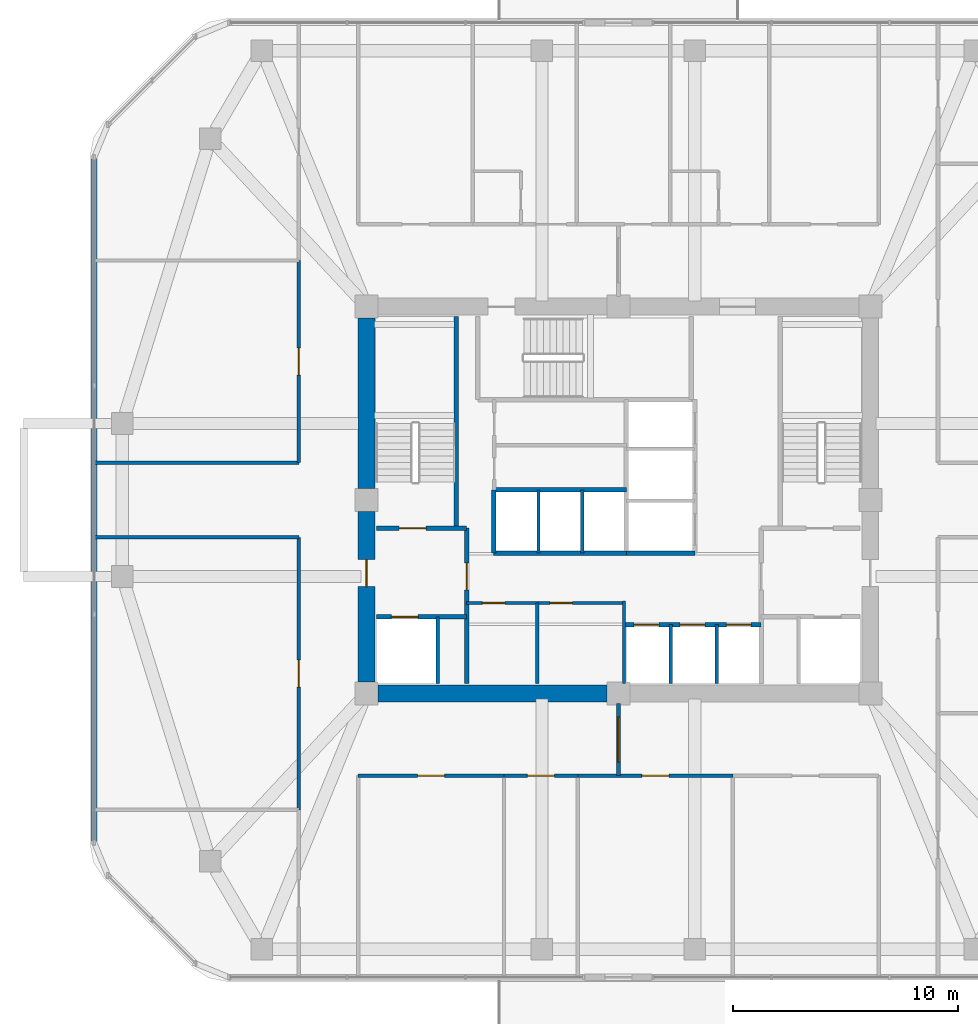
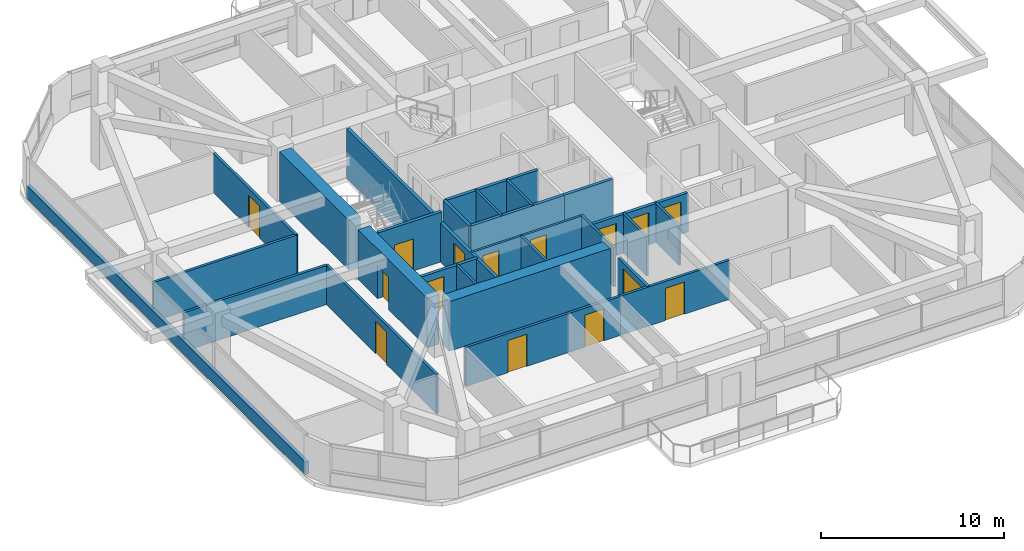
# One storey, part 7 of 12: 29 walls, 15 doors, 15 openings.
"""IFC4 building model written with IfcOpenShell, lengths in metres."""

from ifc_helpers import new_model, si_unit, derived_unit, direction, frame, frame_2d, origin, place, context, subcontext, project, spatial, rectangle, extrude, material, layer, layer_set, type_object, element, fill, save


model = new_model("IFC4")

# Units and contexts
model_context = context("Model", 3, precision=1e-05, world=origin(), true_north=direction((0.0, 1.0)))
body_context = subcontext(model_context, "Body", "Model", "MODEL_VIEW")
ifc_project = project(units=[si_unit("LENGTHUNIT", "METRE"), si_unit("AREAUNIT", "SQUARE_METRE"), si_unit("VOLUMEUNIT", "CUBIC_METRE"), si_unit("PLANEANGLEUNIT", "RADIAN"), si_unit("MASSUNIT", "GRAM", prefix="KILO"), derived_unit("THERMALTRANSMITTANCEUNIT", [(si_unit("POWERUNIT", "WATT"), 1), (si_unit("LENGTHUNIT", "METRE"), -2), (si_unit("THERMODYNAMICTEMPERATUREUNIT", "KELVIN"), -1)])], contexts=[model_context])

# Site, building, storey
site_placement = place(None, origin())
site = spatial("IfcSite", under=ifc_project, at=site_placement, CompositionType="ELEMENT")
building_placement = place(site_placement, origin())
building = spatial("IfcBuilding", under=site, at=building_placement, Name="Koralith Skygarden Medical Center", CompositionType="ELEMENT")
storey_placement = place(building_placement, frame((0.0, 0.0, 138.419921875)))
storey = spatial("IfcBuildingStorey", under=building, at=storey_placement, Name="L35", CompositionType="ELEMENT", Elevation=138.419921875)

# Wall, openings, doors
ifc_material_1 = material(Name="Gypsum Board Partition")
ifc_layer_1 = layer(ifc_material_1, 0.14990234375)
ifc_layer_set_1 = layer_set([ifc_layer_1], Name="Gypsum Board Partition")
wall_type_1 = type_object("IfcWallType", Name="Clinical Acoustic Partition 150", PredefinedType="PARTITIONING", material=ifc_layer_set_1)
wall_1_placement = place(storey_placement, frame((30.25, 21.320068359375, 0.0), z_axis=(0.0, 0.0, 1.0), x_axis=(1.0, 0.0, 0.0)))
wall_1 = element("IfcWall", 1, at=wall_1_placement, inside=storey, type_object=wall_type_1, Name="L35 Clinical Acoustic Partition 150 W-CORE-L35-FREED-LR-N", PredefinedType="PARTITIONING", context=body_context, shape_type="SweptSolid", body=[
    extrude(rectangle(XDim=7.0, YDim=0.14990234375, at=frame_2d((3.5, 0.0))), origin(), (0.0, 0.0, 1.0), 2.610107421875),
])
opening_1_placement = place(wall_1_placement, frame((0.699951171875, 0.0, 0.0)))
opening_1 = element("IfcOpeningElement", 2, at=opening_1_placement, cuts=wall_1, Name="Opening D-SUP", PredefinedType="OPENING", context=body_context, shape_type="SweptSolid", body=[
    extrude(rectangle(XDim=1.0, YDim=2.14990234375, at=frame_2d((0.5, 1.074951171875))), frame((0.0, 0.0849609375, 0.0), z_axis=(0.0, -1.0, 0.0), x_axis=(1.0, 0.0, 0.0)), (0.0, 0.0, 1.0), 0.169921875),
])
opening_2_placement = place(wall_1_placement, frame((3.699951171875, 0.0, 0.0)))
opening_2 = element("IfcOpeningElement", 3, at=opening_2_placement, cuts=wall_1, Name="Opening D-SUP", PredefinedType="OPENING", context=body_context, shape_type="SweptSolid", body=[
    extrude(rectangle(XDim=1.0, YDim=2.14990234375, at=frame_2d((0.5, 1.074951171875))), frame((0.0, 0.0849609375, 0.0), z_axis=(0.0, -1.0, 0.0), x_axis=(1.0, 0.0, 0.0)), (0.0, 0.0, 1.0), 0.169921875),
])
ifc_material_2 = material(Name="Aluminium 6063-T6", Category="aluminium")
door_type_1 = type_object("IfcDoorType", Name="Clinical Support Door D-SUP 1000", OperationType="NOTDEFINED", PredefinedType="DOOR", material=ifc_material_2)
door_1_placement = place(opening_1_placement, frame((1.0, 0.0, 0.0), z_axis=(0.0, 0.0, 1.0), x_axis=(-1.0, 0.0, 0.0)))
door_1 = element("IfcDoor", 4, at=door_1_placement, inside=storey, type_object=door_type_1, Name="L35 Medication Preparation Door", OperationType="SINGLE_SWING_LEFT", OverallHeight=2.14990234375, OverallWidth=1.0, PredefinedType="DOOR", context=body_context, shape_type="SweptSolid", body=[
    extrude(rectangle(XDim=1.0, YDim=2.14990234375, at=frame_2d((0.5, 1.074951171875))), frame((0.0, 0.02490234375, 0.0), z_axis=(0.0, -1.0, 0.0), x_axis=(1.0, 0.0, 0.0)), (0.0, 0.0, 1.0), 0.050048828125),
])
fill(opening_1, door_1)
door_2_placement = place(opening_2_placement, frame((1.0, 0.0, 0.0), z_axis=(0.0, 0.0, 1.0), x_axis=(-1.0, 0.0, 0.0)))
door_2 = element("IfcDoor", 5, at=door_2_placement, inside=storey, type_object=door_type_1, Name="L35 Telemetry Room Door", OperationType="SINGLE_SWING_RIGHT", OverallHeight=2.14990234375, OverallWidth=1.0, PredefinedType="DOOR", context=body_context, shape_type="SweptSolid", body=[
    extrude(rectangle(XDim=1.0, YDim=2.14990234375, at=frame_2d((0.5, 1.074951171875))), frame((0.0, 0.02490234375, 0.0), z_axis=(0.0, -1.0, 0.0), x_axis=(1.0, 0.0, 0.0)), (0.0, 0.0, 1.0), 0.050048828125),
])
fill(opening_2, door_2)

# Walls
wall_2_placement = place(storey_placement, frame((33.39990234375, 17.75, 0.0), z_axis=(0.0, 0.0, 1.0), x_axis=(0.0, 1.0, 0.0)))
element("IfcWall", 6, at=wall_2_placement, inside=storey, type_object=wall_type_1, Name="L35 Clinical Acoustic Partition 150 W-CORE-L35-FREED-LR-M", PredefinedType="PARTITIONING", context=body_context, shape_type="SweptSolid", body=[
    extrude(rectangle(XDim=3.570068359375, YDim=0.14990234375, at=frame_2d((1.78515625, 0.0))), origin(), (0.0, 0.0, 1.0), 2.610107421875),
])
ifc_layer_2 = layer(ifc_material_1, 0.1650390625)
ifc_layer_set_2 = layer_set([ifc_layer_2], Name="Gypsum Board Partition")
wall_type_2 = type_object("IfcWallType", Name="Clinical Corridor Partition 165", PredefinedType="PARTITIONING", material=ifc_layer_set_2)
for number, where, z_axis, x_axis, name in (
    (7, (13.716064453125, 24.239990234375, 0.0), (0.0, 0.0, 1.0), (1.0, 0.0, 0.0), "L35 Clinical Corridor Partition 165 W-HCOR-L35-EWS-W"),
    (8, (13.716064453125, 27.56005859375, 0.0), (0.0, 0.0, 1.0), (1.0, 0.0, 0.0), "L35 Clinical Corridor Partition 165 W-HCOR-L35-EWN-W"),
):
    element("IfcWall", number, at=place(storey_placement, frame(where, z_axis=z_axis, x_axis=x_axis)), inside=storey, type_object=wall_type_2, Name=name, PredefinedType="PARTITIONING", context=body_context, shape_type="SweptSolid", body=[
        extrude(rectangle(XDim=9.073974609375, YDim=0.1650390625, at=frame_2d((4.537109375, 0.0))), origin(), (0.0, 0.0, 1.0), 2.610107421875),
    ])

# Wall, opening, door
wall_3_placement = place(storey_placement, frame((25.429931640625, 13.639892578125, 0.0), z_axis=(0.0, 0.0, 1.0), x_axis=(1.0, 0.0, 0.0)))
wall_3 = element("IfcWall", 9, at=wall_3_placement, inside=storey, type_object=wall_type_2, Name="L35 Clinical Corridor Partition 165 W-CORR-L35-S-01", PredefinedType="PARTITIONING", context=body_context, shape_type="SweptSolid", body=[
    extrude(rectangle(XDim=6.484130859375, YDim=0.1650390625, at=frame_2d((3.2421875, 0.0))), origin(), (0.0, 0.0, 1.0), 2.610107421875),
])
opening_3_placement = place(wall_3_placement, frame((2.64208984375, 0.0, 0.0)))
opening_3 = element("IfcOpeningElement", 10, at=opening_3_placement, cuts=wall_3, Name="Opening D-CLN", PredefinedType="OPENING", context=body_context, shape_type="SweptSolid", body=[
    extrude(rectangle(XDim=1.199951171875, YDim=2.14990234375, at=frame_2d((0.60009765625, 1.074951171875))), frame((0.0, 0.092529296875, 0.0), z_axis=(0.0, -1.0, 0.0), x_axis=(1.0, 0.0, 0.0)), (0.0, 0.0, 1.0), 0.18505859375),
])
door_type_2 = type_object("IfcDoorType", Name="Clinical Corridor Door D-CLN 1200", OperationType="NOTDEFINED", PredefinedType="DOOR", material=ifc_material_2)
door_3_placement = place(opening_3_placement, frame((1.199951171875, 0.0, 0.0), z_axis=(0.0, 0.0, 1.0), x_axis=(-1.0, 0.0, 0.0)))
door_3 = element("IfcDoor", 11, at=door_3_placement, inside=storey, type_object=door_type_2, Name="L35 Acute Nurse Station 06 Door", OperationType="SINGLE_SWING_LEFT", OverallHeight=2.14990234375, OverallWidth=1.199951171875, PredefinedType="DOOR", context=body_context, shape_type="SweptSolid", body=[
    extrude(rectangle(XDim=1.199951171875, YDim=2.14990234375, at=frame_2d((0.60009765625, 1.074951171875))), frame((0.0, 0.02490234375, 0.0), z_axis=(0.0, -1.0, 0.0), x_axis=(1.0, 0.0, 0.0)), (0.0, 0.0, 1.0), 0.050048828125),
])
fill(opening_3, door_3)

wall_4_placement = place(storey_placement, frame((31.9140625, 13.639892578125, 0.0), z_axis=(0.0, 0.0, 1.0), x_axis=(1.0, 0.0, 0.0)))
wall_4 = element("IfcWall", 12, at=wall_4_placement, inside=storey, type_object=wall_type_2, Name="L35 Clinical Corridor Partition 165 W-CORR-L35-S-02", PredefinedType="PARTITIONING", context=body_context, shape_type="SweptSolid", body=[
    extrude(rectangle(XDim=3.285888671875, YDim=0.1650390625, at=frame_2d((1.64306640625, 0.0))), origin(), (0.0, 0.0, 1.0), 2.610107421875),
])
opening_4_placement = place(wall_4_placement, frame((1.04296875, 0.0, 0.0)))
opening_4 = element("IfcOpeningElement", 13, at=opening_4_placement, cuts=wall_4, Name="Opening D-CLN", PredefinedType="OPENING", context=body_context, shape_type="SweptSolid", body=[
    extrude(rectangle(XDim=1.199951171875, YDim=2.14990234375, at=frame_2d((0.60009765625, 1.074951171875))), frame((0.0, 0.092529296875, 0.0), z_axis=(0.0, -1.0, 0.0), x_axis=(1.0, 0.0, 0.0)), (0.0, 0.0, 1.0), 0.18505859375),
])
door_4_placement = place(opening_4_placement, frame((1.199951171875, 0.0, 0.0), z_axis=(0.0, 0.0, 1.0), x_axis=(-1.0, 0.0, 0.0)))
door_4 = element("IfcDoor", 14, at=door_4_placement, inside=storey, type_object=door_type_2, Name="L35 Public Accessible Restroom WC 07 Door", OperationType="SINGLE_SWING_RIGHT", OverallHeight=2.14990234375, OverallWidth=1.199951171875, PredefinedType="DOOR", context=body_context, shape_type="SweptSolid", body=[
    extrude(rectangle(XDim=1.199951171875, YDim=2.14990234375, at=frame_2d((0.60009765625, 1.074951171875))), frame((0.0, 0.02490234375, 0.0), z_axis=(0.0, -1.0, 0.0), x_axis=(1.0, 0.0, 0.0)), (0.0, 0.0, 1.0), 0.050048828125),
])
fill(opening_4, door_4)

wall_5_placement = place(storey_placement, frame((35.199951171875, 13.639892578125, 0.0), z_axis=(0.0, 0.0, 1.0), x_axis=(1.0, 0.0, 0.0)))
wall_5 = element("IfcWall", 15, at=wall_5_placement, inside=storey, type_object=wall_type_2, Name="L35 Clinical Corridor Partition 165 W-CORR-L35-S-03", PredefinedType="PARTITIONING", context=body_context, shape_type="SweptSolid", body=[
    extrude(rectangle(XDim=6.885986328125, YDim=0.1650390625, at=frame_2d((3.44287109375, 0.0))), origin(), (0.0, 0.0, 1.0), 2.610107421875),
])
opening_5_placement = place(wall_5_placement, frame((2.843017578125, 0.0, 0.0)))
opening_5 = element("IfcOpeningElement", 16, at=opening_5_placement, cuts=wall_5, Name="Opening D-CLN", PredefinedType="OPENING", context=body_context, shape_type="SweptSolid", body=[
    extrude(rectangle(XDim=1.199951171875, YDim=2.14990234375, at=frame_2d((0.60009765625, 1.074951171875))), frame((0.0, 0.092529296875, 0.0), z_axis=(0.0, -1.0, 0.0), x_axis=(1.0, 0.0, 0.0)), (0.0, 0.0, 1.0), 0.18505859375),
])
door_5_placement = place(opening_5_placement, frame((1.199951171875, 0.0, 0.0), z_axis=(0.0, 0.0, 1.0), x_axis=(-1.0, 0.0, 0.0)))
door_5 = element("IfcDoor", 17, at=door_5_placement, inside=storey, type_object=door_type_2, Name="L35 Patient and Family Sky-Garden Day Lounge 08 Door", OperationType="SINGLE_SWING_LEFT", OverallHeight=2.14990234375, OverallWidth=1.199951171875, PredefinedType="DOOR", context=body_context, shape_type="SweptSolid", body=[
    extrude(rectangle(XDim=1.199951171875, YDim=2.14990234375, at=frame_2d((0.60009765625, 1.074951171875))), frame((0.0, 0.02490234375, 0.0), z_axis=(0.0, -1.0, 0.0), x_axis=(1.0, 0.0, 0.0)), (0.0, 0.0, 1.0), 0.050048828125),
])
fill(opening_5, door_5)

wall_6_placement = place(storey_placement, frame((22.7900390625, 12.125, 0.0), z_axis=(0.0, 0.0, 1.0), x_axis=(0.0, 1.0, 0.0)))
wall_6 = element("IfcWall", 18, at=wall_6_placement, inside=storey, type_object=wall_type_2, Name="L35 Clinical Corridor Partition 165 W-CORR-L35-WS-02", PredefinedType="PARTITIONING", context=body_context, shape_type="SweptSolid", body=[
    extrude(rectangle(XDim=12.114990234375, YDim=0.1650390625, at=frame_2d((6.0576171875, 0.0))), origin(), (0.0, 0.0, 1.0), 2.610107421875),
])
opening_6_placement = place(wall_6_placement, frame((5.45703125, 0.0, 0.0)))
opening_6 = element("IfcOpeningElement", 19, at=opening_6_placement, cuts=wall_6, Name="Opening D-CLN", PredefinedType="OPENING", context=body_context, shape_type="SweptSolid", body=[
    extrude(rectangle(XDim=1.199951171875, YDim=2.14990234375, at=frame_2d((0.60009765625, 1.074951171875))), frame((0.0, 0.092529296875, 0.0), z_axis=(0.0, -1.0, 0.0), x_axis=(1.0, 0.0, 0.0)), (0.0, 0.0, 1.0), 0.18505859375),
])
door_6_placement = place(opening_6_placement, frame((1.199951171875, 0.0, 0.0), z_axis=(0.0, 0.0, 1.0), x_axis=(-1.0, 0.0, 0.0)))
door_6 = element("IfcDoor", 20, at=door_6_placement, inside=storey, type_object=door_type_2, Name="L35 Acute Nurse Station 11 Door", OperationType="SINGLE_SWING_RIGHT", OverallHeight=2.14990234375, OverallWidth=1.199951171875, PredefinedType="DOOR", context=body_context, shape_type="SweptSolid", body=[
    extrude(rectangle(XDim=1.199951171875, YDim=2.14990234375, at=frame_2d((0.60009765625, 1.074951171875))), frame((0.0, 0.02490234375, 0.0), z_axis=(0.0, -1.0, 0.0), x_axis=(1.0, 0.0, 0.0)), (0.0, 0.0, 1.0), 0.050048828125),
])
fill(opening_6, door_6)

wall_7_placement = place(storey_placement, frame((22.7900390625, 27.56005859375, 0.0), z_axis=(0.0, 0.0, 1.0), x_axis=(0.0, 1.0, 0.0)))
wall_7 = element("IfcWall", 21, at=wall_7_placement, inside=storey, type_object=wall_type_2, Name="L35 Clinical Corridor Partition 165 W-CORR-L35-WN-01", PredefinedType="PARTITIONING", context=body_context, shape_type="SweptSolid", body=[
    extrude(rectangle(XDim=8.988037109375, YDim=0.1650390625, at=frame_2d((4.494140625, 0.0))), origin(), (0.0, 0.0, 1.0), 2.610107421875),
])
opening_7_placement = place(wall_7_placement, frame((3.89404296875, 0.0, 0.0)))
opening_7 = element("IfcOpeningElement", 22, at=opening_7_placement, cuts=wall_7, Name="Opening D-CLN", PredefinedType="OPENING", context=body_context, shape_type="SweptSolid", body=[
    extrude(rectangle(XDim=1.199951171875, YDim=2.14990234375, at=frame_2d((0.60009765625, 1.074951171875))), frame((0.0, 0.092529296875, 0.0), z_axis=(0.0, -1.0, 0.0), x_axis=(1.0, 0.0, 0.0)), (0.0, 0.0, 1.0), 0.18505859375),
])
door_7_placement = place(opening_7_placement, frame((1.199951171875, 0.0, 0.0), z_axis=(0.0, 0.0, 1.0), x_axis=(-1.0, 0.0, 0.0)))
door_7 = element("IfcDoor", 23, at=door_7_placement, inside=storey, type_object=door_type_2, Name="L35 Clinical Consultation Office 12 Door", OperationType="SINGLE_SWING_LEFT", OverallHeight=2.14990234375, OverallWidth=1.199951171875, PredefinedType="DOOR", context=body_context, shape_type="SweptSolid", body=[
    extrude(rectangle(XDim=1.199951171875, YDim=2.14990234375, at=frame_2d((0.60009765625, 1.074951171875))), frame((0.0, 0.02490234375, 0.0), z_axis=(0.0, -1.0, 0.0), x_axis=(1.0, 0.0, 0.0)), (0.0, 0.0, 1.0), 0.050048828125),
])
fill(opening_7, door_7)

ifc_layer_3 = layer(ifc_material_1, 0.199951171875)
ifc_layer_set_3 = layer_set([ifc_layer_3], Name="Gypsum Board Partition")
wall_type_3 = type_object("IfcWallType", Name="Fire Shaft Wall 200", PredefinedType="SOLIDWALL", material=ifc_layer_set_3)
wall_8_placement = place(storey_placement, frame((26.25, 20.699951171875, 0.0), z_axis=(0.0, 0.0, 1.0), x_axis=(1.0, 0.0, 0.0)))
wall_8 = element("IfcWall", 24, at=wall_8_placement, inside=storey, type_object=wall_type_3, Name="L35 Fire Shaft Wall 200 W-CORE-L35-FF1-N", PredefinedType="SOLIDWALL", context=body_context, shape_type="SweptSolid", body=[
    extrude(rectangle(XDim=4.0, YDim=0.199951171875, at=frame_2d((2.0, 0.0))), origin(), (0.0, 0.0, 1.0), 2.610107421875),
])
opening_8_placement = place(wall_8_placement, frame((0.64990234375, 0.0, 0.0)))
opening_8 = element("IfcOpeningElement", 25, at=opening_8_placement, cuts=wall_8, Name="Opening LD-FF", PredefinedType="OPENING", context=body_context, shape_type="SweptSolid", body=[
    extrude(rectangle(XDim=1.199951171875, YDim=2.14990234375, at=frame_2d((0.60009765625, 1.074951171875))), frame((0.0, 0.10986328125, 0.0), z_axis=(0.0, -1.0, 0.0), x_axis=(1.0, 0.0, 0.0)), (0.0, 0.0, 1.0), 0.219970703125),
])
ifc_material_3 = material(Name="Steel ASTM A500 Grade C", Category="steel")
door_type_3 = type_object("IfcDoorType", Name="Fire Lift Sliding Landing Door LD-FF 1200", OperationType="NOTDEFINED", PredefinedType="DOOR", material=ifc_material_3)
door_8_placement = place(opening_8_placement, origin())
door_8 = element("IfcDoor", 26, at=door_8_placement, inside=storey, type_object=door_type_3, Name="L35 Fire Service Elevator FF1 Landing Door", OperationType="SLIDING_TO_LEFT", OverallHeight=2.14990234375, OverallWidth=1.199951171875, PredefinedType="DOOR", context=body_context, shape_type="SweptSolid", body=[
    extrude(rectangle(XDim=1.199951171875, YDim=2.14990234375, at=frame_2d((0.60009765625, 1.074951171875))), frame((0.0, 0.02490234375, 0.0), z_axis=(0.0, -1.0, 0.0), x_axis=(1.0, 0.0, 0.0)), (0.0, 0.0, 1.0), 0.050048828125),
])
fill(opening_8, door_8)

wall_9_placement = place(storey_placement, frame((30.25, 17.75, 0.0), z_axis=(0.0, 0.0, 1.0), x_axis=(0.0, 1.0, 0.0)))
wall_9 = element("IfcWall", 27, at=wall_9_placement, inside=storey, type_object=wall_type_3, Name="L35 Fire Shaft Wall 200 W-CORE-L35-FSAEW-E", PredefinedType="SOLIDWALL", context=body_context, shape_type="SweptSolid", body=[
    extrude(rectangle(XDim=6.89990234375, YDim=0.199951171875, at=frame_2d((3.449951171875, 0.0))), origin(), (0.0, 0.0, 1.0), 2.610107421875),
])
opening_9_placement = place(wall_9_placement, frame((4.14990234375, 0.0, 0.0)))
opening_9 = element("IfcOpeningElement", 28, at=opening_9_placement, cuts=wall_9, Name="Opening D-ST60", PredefinedType="OPENING", context=body_context, shape_type="SweptSolid", body=[
    extrude(rectangle(XDim=1.199951171875, YDim=2.14990234375, at=frame_2d((0.60009765625, 1.074951171875))), frame((0.0, 0.10986328125, 0.0), z_axis=(0.0, -1.0, 0.0), x_axis=(1.0, 0.0, 0.0)), (0.0, 0.0, 1.0), 0.219970703125),
])
door_type_4 = type_object("IfcDoorType", Name="Smokeproof Stair Fire Door FD60S 1200", OperationType="NOTDEFINED", PredefinedType="DOOR", material=ifc_material_3)
door_9_placement = place(opening_9_placement, origin())
door_9 = element("IfcDoor", 29, at=door_9_placement, inside=storey, type_object=door_type_4, Name="L35 West Firefighting Lobby Inner Fire Door", OperationType="SINGLE_SWING_LEFT", OverallHeight=2.14990234375, OverallWidth=1.199951171875, PredefinedType="DOOR", context=body_context, shape_type="SweptSolid", body=[
    extrude(rectangle(XDim=1.199951171875, YDim=2.14990234375, at=frame_2d((0.60009765625, 1.074951171875))), frame((0.0, 0.02490234375, 0.0), z_axis=(0.0, -1.0, 0.0), x_axis=(1.0, 0.0, 0.0)), (0.0, 0.0, 1.0), 0.050048828125),
])
fill(opening_9, door_9)

# Wall, openings, doors
wall_10_placement = place(storey_placement, frame((37.25, 20.360107421875, 0.0), z_axis=(0.0, 0.0, 1.0), x_axis=(1.0, 0.0, 0.0)))
wall_10 = element("IfcWall", 30, at=wall_10_placement, inside=storey, type_object=wall_type_3, Name="L35 Fire Shaft Wall 200 W-CORE-L35-PM-N", PredefinedType="SOLIDWALL", context=body_context, shape_type="SweptSolid", body=[
    extrude(rectangle(XDim=6.10009765625, YDim=0.199951171875, at=frame_2d((3.050048828125, 0.0))), origin(), (0.0, 0.0, 1.0), 2.610107421875),
])
opening_10_placement = place(wall_10_placement, frame((0.449951171875, 0.0, 0.0)))
opening_10 = element("IfcOpeningElement", 31, at=opening_10_placement, cuts=wall_10, Name="Opening LD-P", PredefinedType="OPENING", context=body_context, shape_type="SweptSolid", body=[
    extrude(rectangle(XDim=1.10009765625, YDim=2.14990234375, at=frame_2d((0.550048828125, 1.074951171875))), frame((0.0, 0.10986328125, 0.0), z_axis=(0.0, -1.0, 0.0), x_axis=(1.0, 0.0, 0.0)), (0.0, 0.0, 1.0), 0.219970703125),
])
opening_11_placement = place(wall_10_placement, frame((2.5, 0.0, 0.0)))
opening_11 = element("IfcOpeningElement", 32, at=opening_11_placement, cuts=wall_10, Name="Opening LD-P", PredefinedType="OPENING", context=body_context, shape_type="SweptSolid", body=[
    extrude(rectangle(XDim=1.10009765625, YDim=2.14990234375, at=frame_2d((0.550048828125, 1.074951171875))), frame((0.0, 0.10986328125, 0.0), z_axis=(0.0, -1.0, 0.0), x_axis=(1.0, 0.0, 0.0)), (0.0, 0.0, 1.0), 0.219970703125),
])
opening_12_placement = place(wall_10_placement, frame((4.550048828125, 0.0, 0.0)))
opening_12 = element("IfcOpeningElement", 33, at=opening_12_placement, cuts=wall_10, Name="Opening LD-P", PredefinedType="OPENING", context=body_context, shape_type="SweptSolid", body=[
    extrude(rectangle(XDim=1.10009765625, YDim=2.14990234375, at=frame_2d((0.550048828125, 1.074951171875))), frame((0.0, 0.10986328125, 0.0), z_axis=(0.0, -1.0, 0.0), x_axis=(1.0, 0.0, 0.0)), (0.0, 0.0, 1.0), 0.219970703125),
])
door_type_5 = type_object("IfcDoorType", Name="Passenger Lift Sliding Landing Door LD-P 1100", OperationType="NOTDEFINED", PredefinedType="DOOR", material=ifc_material_3)
door_10_placement = place(opening_10_placement, origin())
door_10 = element("IfcDoor", 34, at=door_10_placement, inside=storey, type_object=door_type_5, Name="L35 Passenger Elevator PM1 Landing Door", OperationType="SLIDING_TO_LEFT", OverallHeight=2.14990234375, OverallWidth=1.10009765625, PredefinedType="DOOR", context=body_context, shape_type="SweptSolid", body=[
    extrude(rectangle(XDim=1.10009765625, YDim=2.14990234375, at=frame_2d((0.550048828125, 1.074951171875))), frame((0.0, 0.02490234375, 0.0), z_axis=(0.0, -1.0, 0.0), x_axis=(1.0, 0.0, 0.0)), (0.0, 0.0, 1.0), 0.050048828125),
])
fill(opening_10, door_10)
door_11_placement = place(opening_11_placement, origin())
door_11 = element("IfcDoor", 35, at=door_11_placement, inside=storey, type_object=door_type_5, Name="L35 Passenger Elevator PM2 Landing Door", OperationType="SLIDING_TO_LEFT", OverallHeight=2.14990234375, OverallWidth=1.10009765625, PredefinedType="DOOR", context=body_context, shape_type="SweptSolid", body=[
    extrude(rectangle(XDim=1.10009765625, YDim=2.14990234375, at=frame_2d((0.550048828125, 1.074951171875))), frame((0.0, 0.02490234375, 0.0), z_axis=(0.0, -1.0, 0.0), x_axis=(1.0, 0.0, 0.0)), (0.0, 0.0, 1.0), 0.050048828125),
])
fill(opening_11, door_11)
door_12_placement = place(opening_12_placement, origin())
door_12 = element("IfcDoor", 36, at=door_12_placement, inside=storey, type_object=door_type_5, Name="L35 Passenger Elevator PM3 Landing Door", OperationType="SLIDING_TO_LEFT", OverallHeight=2.14990234375, OverallWidth=1.10009765625, PredefinedType="DOOR", context=body_context, shape_type="SweptSolid", body=[
    extrude(rectangle(XDim=1.10009765625, YDim=2.14990234375, at=frame_2d((0.550048828125, 1.074951171875))), frame((0.0, 0.02490234375, 0.0), z_axis=(0.0, -1.0, 0.0), x_axis=(1.0, 0.0, 0.0)), (0.0, 0.0, 1.0), 0.050048828125),
])
fill(opening_12, door_12)

# Walls
for number, where, z_axis, x_axis, name in (
    (37, (31.449951171875, 23.5400390625, 0.0), (0.0, 0.0, 1.0), (1.0, 0.0, 0.0), "L35 Fire Shaft Wall 200 W-CORE-L35-PH-S"),
    (38, (31.449951171875, 26.35009765625, 0.0), (0.0, 0.0, 1.0), (1.0, 0.0, 0.0), "L35 Fire Shaft Wall 200 W-CORE-L35-PH-N"),
):
    element("IfcWall", number, at=place(storey_placement, frame(where, z_axis=z_axis, x_axis=x_axis)), inside=storey, type_object=wall_type_3, Name=name, PredefinedType="SOLIDWALL", context=body_context, shape_type="SweptSolid", body=[
        extrude(rectangle(XDim=5.900146484375, YDim=0.199951171875, at=frame_2d((2.9501953125, 0.0))), origin(), (0.0, 0.0, 1.0), 2.610107421875),
    ])
wall_11_placement = place(storey_placement, frame((31.449951171875, 23.5400390625, 0.0), z_axis=(0.0, 0.0, 1.0), x_axis=(0.0, 1.0, 0.0)))
element("IfcWall", 39, at=wall_11_placement, inside=storey, type_object=wall_type_3, Name="L35 Fire Shaft Wall 200 W-CORE-L35-PH-W", PredefinedType="SOLIDWALL", context=body_context, shape_type="SweptSolid", body=[
    extrude(rectangle(XDim=2.81005859375, YDim=0.199951171875, at=frame_2d((1.405029296875, 0.0))), origin(), (0.0, 0.0, 1.0), 2.610107421875),
])
wall_12_placement = place(storey_placement, frame((37.35009765625, 23.5400390625, 0.0), z_axis=(0.0, 0.0, 1.0), x_axis=(1.0, 0.0, 0.0)))
element("IfcWall", 40, at=wall_12_placement, inside=storey, type_object=wall_type_3, Name="L35 Fire Shaft Wall 200 W-CORE-L35-SV-S", PredefinedType="SOLIDWALL", context=body_context, shape_type="SweptSolid", body=[
    extrude(rectangle(XDim=3.0498046875, YDim=0.199951171875, at=frame_2d((1.52490234375, 0.0))), origin(), (0.0, 0.0, 1.0), 2.610107421875),
])

# Wall, opening, door
ifc_layer_4 = layer(ifc_material_1, 0.179931640625)
ifc_layer_set_4 = layer_set([ifc_layer_4], Name="Gypsum Board Partition")
wall_type_4 = type_object("IfcWallType", Name="Group I-2 Smoke Barrier Wall 180", PredefinedType="PARTITIONING", material=ifc_layer_set_4)
wall_13_placement = place(storey_placement, frame((37.0, 13.639892578125, 0.0), z_axis=(0.0, 0.0, 1.0), x_axis=(0.0, 1.0, 0.0)))
wall_13 = element("IfcWall", 41, at=wall_13_placement, inside=storey, type_object=wall_type_4, Name="L35 Group I-2 Smoke Barrier Wall 180 W-SMK-L35-S", PredefinedType="PARTITIONING", context=body_context, shape_type="SweptSolid", body=[
    extrude(rectangle(XDim=3.210205078125, YDim=0.179931640625, at=frame_2d((1.60498046875, 0.0))), origin(), (0.0, 0.0, 1.0), 2.610107421875),
])
opening_13_placement = place(wall_13_placement, frame((0.60498046875, 0.0, 0.0)))
opening_13 = element("IfcOpeningElement", 42, at=opening_13_placement, cuts=wall_13, Name="Opening D-SMK", PredefinedType="OPENING", context=body_context, shape_type="SweptSolid", body=[
    extrude(rectangle(XDim=2.0, YDim=2.199951171875, at=frame_2d((1.0, 1.10009765625))), frame((0.0, 0.099853515625, 0.0), z_axis=(0.0, -1.0, 0.0), x_axis=(1.0, 0.0, 0.0)), (0.0, 0.0, 1.0), 0.199951171875),
])
door_type_6 = type_object("IfcDoorType", Name="Cross-Corridor Double Smoke Door FD60S 2000", OperationType="NOTDEFINED", PredefinedType="DOOR", material=ifc_material_3)
door_13_placement = place(opening_13_placement, frame((2.0, 0.0, 0.0), z_axis=(0.0, 0.0, 1.0), x_axis=(-1.0, 0.0, 0.0)))
door_13 = element("IfcDoor", 43, at=door_13_placement, inside=storey, type_object=door_type_6, Name="L35 S Smoke Compartment Cross-Corridor Door", OperationType="DOUBLE_DOOR_SINGLE_SWING", OverallHeight=2.199951171875, OverallWidth=2.0, PredefinedType="DOOR", context=body_context, shape_type="SweptSolid", body=[
    extrude(rectangle(XDim=2.0, YDim=2.199951171875, at=frame_2d((1.0, 1.10009765625))), frame((0.0, 0.02490234375, 0.0), z_axis=(0.0, -1.0, 0.0), x_axis=(1.0, 0.0, 0.0)), (0.0, 0.0, 1.0), 0.050048828125),
])
fill(opening_13, door_13)

# Walls
ifc_material_4 = material(Name="Warm Oolitic Limestone Cladding", Category="masonry")
ifc_layer_5 = layer(ifc_material_4, 0.239990234375)
ifc_layer_set_5 = layer_set([ifc_layer_5], Name="Warm Oolitic Limestone Cladding")
wall_type_5 = type_object("IfcWallType", Name="Limestone Spandrel Sill Backup Wall 240", PredefinedType="SOLIDWALL", material=ifc_layer_set_5)
wall_14_placement = place(storey_placement, frame((13.696044921875, 41.14501953125, 0.0), z_axis=(0.0, 0.0, 1.0), x_axis=(0.0, -1.0, 0.0)))
element("IfcWall", 44, at=wall_14_placement, inside=storey, type_object=wall_type_5, Name="L35 Sill Spandrel W", PredefinedType="SOLIDWALL", context=body_context, shape_type="SweptSolid", body=[
    extrude(rectangle(XDim=30.489990234375, YDim=0.239990234375, at=frame_2d((15.2451171875, 0.0))), origin(), (0.0, 0.0, 1.0), 0.85009765625),
])
ifc_material_5 = material(Name="Concrete C70/85", Category="concrete")
ifc_layer_6 = layer(ifc_material_5, 0.75)
ifc_layer_set_6 = layer_set([ifc_layer_6], Name="Concrete C70/85")
wall_type_6 = type_object("IfcWallType", Name="Mid Core Shear Wall 750", PredefinedType="SHEAR", material=ifc_layer_set_6)
wall_15_placement = place(storey_placement, frame((26.304931640625, 17.300048828125, 0.0), z_axis=(0.0, 0.0, 1.0), x_axis=(1.0, 0.0, 0.0)))
element("IfcWall", 45, at=wall_15_placement, inside=storey, type_object=wall_type_6, Name="L35 Core Shear Wall Segment 1", PredefinedType="SHEAR", context=body_context, shape_type="SweptSolid", body=[
    extrude(rectangle(XDim=10.190185546875, YDim=0.75, at=frame_2d((5.09521484375, 0.0))), origin(), (0.0, 0.0, 1.0), 3.320068359375),
])
wall_16_placement = place(storey_placement, frame((25.800048828125, 33.9951171875, 0.0), z_axis=(0.0, 0.0, 1.0), x_axis=(0.0, -1.0, 0.0)))
element("IfcWall", 46, at=wall_16_placement, inside=storey, type_object=wall_type_6, Name="L35 Core Shear Wall Segment 7", PredefinedType="SHEAR", context=body_context, shape_type="SweptSolid", body=[
    extrude(rectangle(XDim=7.590087890625, YDim=0.75, at=frame_2d((3.794921875, 0.0))), origin(), (0.0, 0.0, 1.0), 3.320068359375),
])

# Wall, opening, door
wall_17_placement = place(storey_placement, frame((25.800048828125, 25.39501953125, 0.0), z_axis=(0.0, 0.0, 1.0), x_axis=(0.0, -1.0, 0.0)))
wall_17 = element("IfcWall", 47, at=wall_17_placement, inside=storey, type_object=wall_type_6, Name="L35 Core Shear Wall Segment 8", PredefinedType="SHEAR", context=body_context, shape_type="SweptSolid", body=[
    extrude(rectangle(XDim=7.590087890625, YDim=0.75, at=frame_2d((3.794921875, 0.0))), origin(), (0.0, 0.0, 1.0), 3.320068359375),
])
opening_14_placement = place(wall_17_placement, frame((2.14501953125, 0.0, 0.0)))
opening_14 = element("IfcOpeningElement", 48, at=opening_14_placement, cuts=wall_17, Name="Opening D-ST60", PredefinedType="OPENING", context=body_context, shape_type="SweptSolid", body=[
    extrude(rectangle(XDim=1.199951171875, YDim=2.14990234375, at=frame_2d((0.60009765625, 1.074951171875))), frame((0.0, 0.385009765625, 0.0), z_axis=(0.0, -1.0, 0.0), x_axis=(1.0, 0.0, 0.0)), (0.0, 0.0, 1.0), 0.77001953125),
])
door_14_placement = place(opening_14_placement, frame((1.199951171875, 0.0, 0.0), z_axis=(0.0, 0.0, 1.0), x_axis=(-1.0, 0.0, 0.0)))
door_14 = element("IfcDoor", 49, at=door_14_placement, inside=storey, type_object=door_type_4, Name="L35 West Corridor to Firefighting Lobby Door", OperationType="SINGLE_SWING_LEFT", OverallHeight=2.14990234375, OverallWidth=1.199951171875, PredefinedType="DOOR", context=body_context, shape_type="SweptSolid", body=[
    extrude(rectangle(XDim=1.199951171875, YDim=2.14990234375, at=frame_2d((0.60009765625, 1.074951171875))), frame((0.0, 0.02490234375, 0.0), z_axis=(0.0, -1.0, 0.0), x_axis=(1.0, 0.0, 0.0)), (0.0, 0.0, 1.0), 0.050048828125),
])
fill(opening_14, door_14)

# Walls
ifc_layer_7 = layer(ifc_material_1, 0.14990234375)
ifc_layer_set_7 = layer_set([ifc_layer_7], Name="Gypsum Board Partition")
wall_type_7 = type_object("IfcWallType", Name="Shaft Partition Wall 150", PredefinedType="PARTITIONING", material=ifc_layer_set_7)
wall_18_placement = place(storey_placement, frame((28.969970703125, 17.75, 0.0), z_axis=(0.0, 0.0, 1.0), x_axis=(0.0, 1.0, 0.0)))
element("IfcWall", 50, at=wall_18_placement, inside=storey, type_object=wall_type_7, Name="L35 Shaft Partition Wall 150 W-CORE-L35-RSRW-DIV", PredefinedType="PARTITIONING", context=body_context, shape_type="SweptSolid", body=[
    extrude(rectangle(XDim=2.949951171875, YDim=0.14990234375, at=frame_2d((1.47509765625, 0.0))), origin(), (0.0, 0.0, 1.0), 2.610107421875),
])
for number, where, z_axis, x_axis, name in (
    (51, (39.320068359375, 17.75, 0.0), (0.0, 0.0, 1.0), (0.0, 1.0, 0.0), "L35 Shaft Partition Wall 150 W-CORE-L35-PM-D1"),
    (52, (41.3701171875, 17.75, 0.0), (0.0, 0.0, 1.0), (0.0, 1.0, 0.0), "L35 Shaft Partition Wall 150 W-CORE-L35-PM-D2"),
):
    element("IfcWall", number, at=place(storey_placement, frame(where, z_axis=z_axis, x_axis=x_axis)), inside=storey, type_object=wall_type_7, Name=name, PredefinedType="PARTITIONING", context=body_context, shape_type="SweptSolid", body=[
        extrude(rectangle(XDim=2.610107421875, YDim=0.14990234375, at=frame_2d((1.30517578125, 0.0))), origin(), (0.0, 0.0, 1.0), 2.610107421875),
    ])
wall_19_placement = place(storey_placement, frame((37.25, 17.75, 0.0), z_axis=(0.0, 0.0, 1.0), x_axis=(0.0, 1.0, 0.0)))
element("IfcWall", 53, at=wall_19_placement, inside=storey, type_object=wall_type_7, Name="L35 Shaft Partition Wall 150 W-CORE-L35-PL-PM-SEP", PredefinedType="PARTITIONING", context=body_context, shape_type="SweptSolid", body=[
    extrude(rectangle(XDim=3.64990234375, YDim=0.14990234375, at=frame_2d((1.824951171875, 0.0))), origin(), (0.0, 0.0, 1.0), 2.610107421875),
])
for number, where, z_axis, x_axis, name in (
    (54, (33.449951171875, 23.5400390625, 0.0), (0.0, 0.0, 1.0), (0.0, 1.0, 0.0), "L35 Shaft Partition Wall 150 W-CORE-L35-PH-D1"),
    (55, (35.39990234375, 23.5400390625, 0.0), (0.0, 0.0, 1.0), (0.0, 1.0, 0.0), "L35 Shaft Partition Wall 150 W-CORE-L35-PH-D2"),
):
    element("IfcWall", number, at=place(storey_placement, frame(where, z_axis=z_axis, x_axis=x_axis)), inside=storey, type_object=wall_type_7, Name=name, PredefinedType="PARTITIONING", context=body_context, shape_type="SweptSolid", body=[
        extrude(rectangle(XDim=2.81005859375, YDim=0.14990234375, at=frame_2d((1.405029296875, 0.0))), origin(), (0.0, 0.0, 1.0), 2.610107421875),
    ])
ifc_material_6 = material(Name="Concrete C45/55", Category="concrete")
ifc_layer_8 = layer(ifc_material_6, 0.199951171875)
ifc_layer_set_8 = layer_set([ifc_layer_8], Name="Concrete C45/55")
wall_type_8 = type_object("IfcWallType", Name="Structural Stair Shaft Wall 200", PredefinedType="SHEAR", material=ifc_layer_set_8)
wall_20_placement = place(storey_placement, frame((29.800048828125, 24.64990234375, 0.0), z_axis=(0.0, 0.0, 1.0), x_axis=(0.0, 1.0, 0.0)))
element("IfcWall", 56, at=wall_20_placement, inside=storey, type_object=wall_type_8, Name="L35 Structural Stair Shaft Wall 200 W-CORE-L35-ST1-E", PredefinedType="SHEAR", context=body_context, shape_type="SweptSolid", body=[
    extrude(rectangle(XDim=9.400146484375, YDim=0.199951171875, at=frame_2d((4.7001953125, 0.0))), origin(), (0.0, 0.0, 1.0), 3.320068359375),
])

# Wall, opening, door
wall_21_placement = place(storey_placement, frame((26.25, 24.64990234375, 0.0), z_axis=(0.0, 0.0, 1.0), x_axis=(1.0, 0.0, 0.0)))
wall_21 = element("IfcWall", 57, at=wall_21_placement, inside=storey, type_object=wall_type_8, Name="L35 Structural Stair Shaft Wall 200 W-CORE-L35-ST1-S", PredefinedType="SHEAR", context=body_context, shape_type="SweptSolid", body=[
    extrude(rectangle(XDim=4.0, YDim=0.199951171875, at=frame_2d((2.0, 0.0))), origin(), (0.0, 0.0, 1.0), 3.320068359375),
])
opening_15_placement = place(wall_21_placement, frame((1.0, 0.0, 0.0)))
opening_15 = element("IfcOpeningElement", 58, at=opening_15_placement, cuts=wall_21, Name="Opening D-ST60", PredefinedType="OPENING", context=body_context, shape_type="SweptSolid", body=[
    extrude(rectangle(XDim=1.199951171875, YDim=2.14990234375, at=frame_2d((0.60009765625, 1.074951171875))), frame((0.0, 0.10986328125, 0.0), z_axis=(0.0, -1.0, 0.0), x_axis=(1.0, 0.0, 0.0)), (0.0, 0.0, 1.0), 0.219970703125),
])
door_15_placement = place(opening_15_placement, origin())
door_15 = element("IfcDoor", 59, at=door_15_placement, inside=storey, type_object=door_type_4, Name="L35 Exit Stair ST1 Fire Door", OperationType="SINGLE_SWING_LEFT", OverallHeight=2.14990234375, OverallWidth=1.199951171875, PredefinedType="DOOR", context=body_context, shape_type="SweptSolid", body=[
    extrude(rectangle(XDim=1.199951171875, YDim=2.14990234375, at=frame_2d((0.60009765625, 1.074951171875))), frame((0.0, 0.02490234375, 0.0), z_axis=(0.0, -1.0, 0.0), x_axis=(1.0, 0.0, 0.0)), (0.0, 0.0, 1.0), 0.050048828125),
])
fill(opening_15, door_15)

save(model, "model.ifc")
